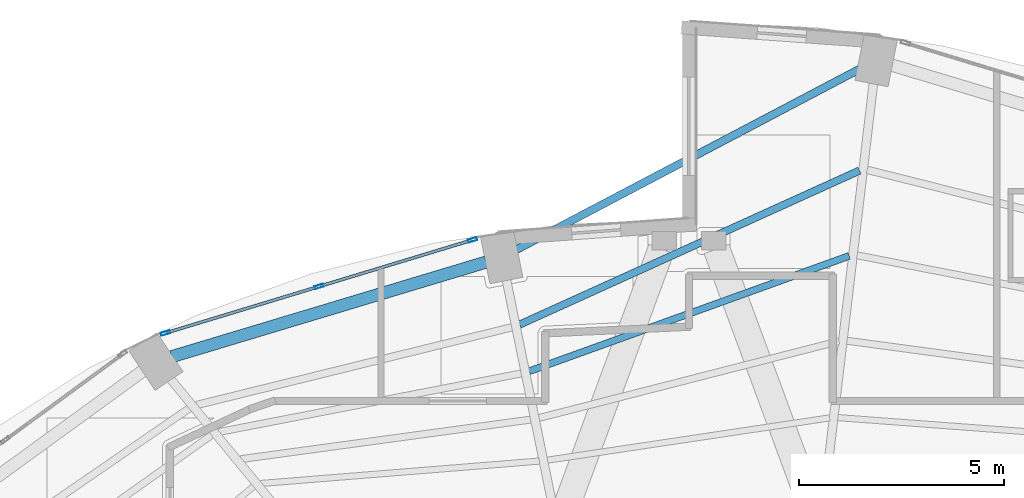
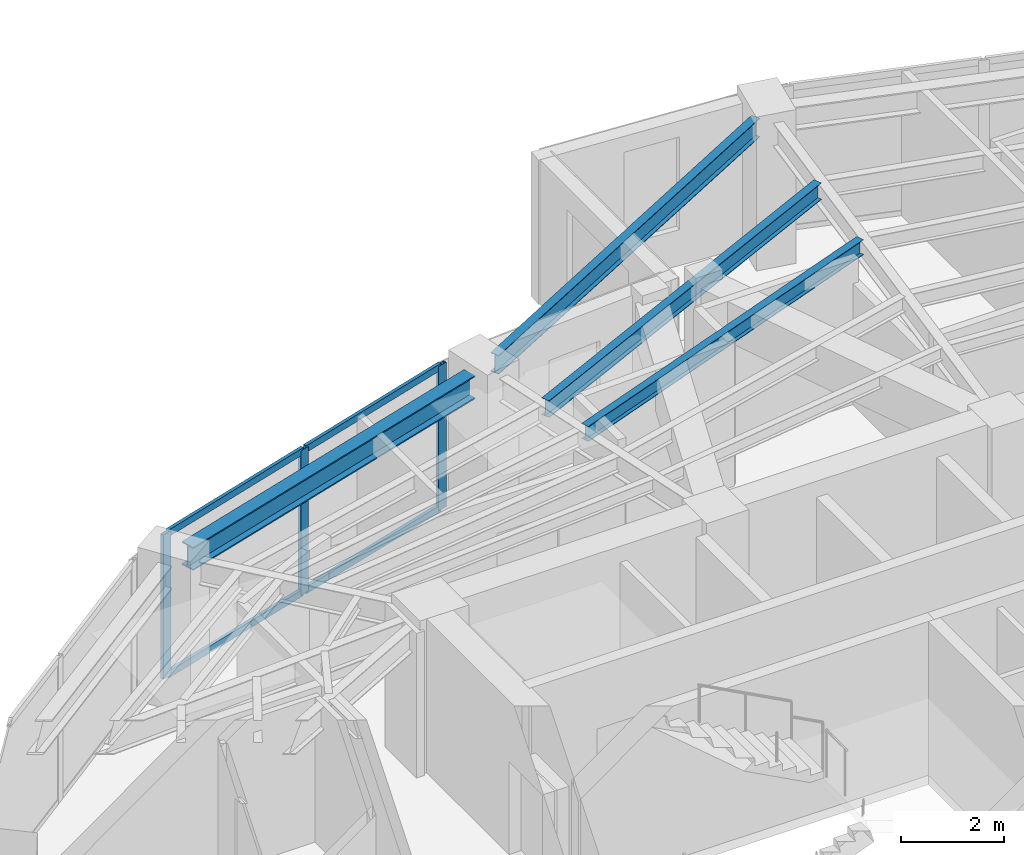
# One storey, part 12 of 20: 7 members, 4 beams, 1 element without a shape of its own.
"""IFC4 building model written with IfcOpenShell, lengths in metres."""

import ifcopenshell
import ifcopenshell.guid

model = None  # the IFC model being written
_history = None  # IfcOwnerHistory: only IFC2X3 demands one
_inside = {}  # id of a spatial element -> (the spatial element, [elements in it])
_under = {}  # id of a project, library or spatial element -> (it, [spatial elements below it])
_declared = {}  # id of a project -> (the project, [libraries it declares])
_typed = {}  # id of a type object -> (the type object, [elements of that type])
_made_of = {}  # id of a material, layer set ... -> (it, [elements and type objects made of it])


def new_model(schema):
    """Start an empty IFC model of exactly this schema.

    Asked for "IFC4X3", IfcOpenShell would pick the latest addendum, in which some entities
    have other attributes; the version numbers below select the first issue.
    IFC2X3 requires an IfcOwnerHistory on every rooted entity: one is made here for all.
    """
    global model, _history
    if schema == "IFC4X3":
        model = ifcopenshell.file(schema_version=(4, 3, 0, 0))
    else:
        model = ifcopenshell.file(schema=schema)
    _inside.clear()
    _under.clear()
    _declared.clear()
    _typed.clear()
    _made_of.clear()
    _history = None
    if model.schema == "IFC2X3":
        org = make("IfcOrganization", Name="unknown")
        user = make(
            "IfcPersonAndOrganization",
            ThePerson=make("IfcPerson", FamilyName="unknown"),
            TheOrganization=org,
        )
        app = make(
            "IfcApplication",
            ApplicationDeveloper=org,
            Version="unknown",
            ApplicationFullName="unknown",
            ApplicationIdentifier="unknown",
        )
        _history = make(
            "IfcOwnerHistory",
            OwningUser=user,
            OwningApplication=app,
            ChangeAction="ADDED",
            CreationDate=0,
        )
    return model


def make(cls, **values):
    """One entity of the class cls with the attributes given. An attribute that is None is left unset."""
    return model.create_entity(
        cls, **{name: value for name, value in values.items() if value is not None}
    )


def rooted(cls, **values):
    """An entity with a GlobalId (a new one), such as an element, a storey or a relation."""
    return make(cls, GlobalId=ifcopenshell.guid.new(), OwnerHistory=_history, **values)


def si_unit(unit_type, name, prefix=None):
    """IfcSIUnit, for example si_unit("LENGTHUNIT", "METRE", prefix="MILLI")."""
    return make("IfcSIUnit", UnitType=unit_type, Prefix=prefix, Name=name)


def assignment(units):
    """IfcUnitAssignment: the units of a project."""
    return None if units is None else make("IfcUnitAssignment", Units=units)


def point(xyz):
    """IfcCartesianPoint."""
    return None if xyz is None else make("IfcCartesianPoint", Coordinates=xyz)


def direction(xyz):
    """IfcDirection."""
    return None if xyz is None else make("IfcDirection", DirectionRatios=xyz)


def frame(location, z_axis=None, x_axis=None):
    """IfcAxis2Placement3D, a coordinate frame: its origin and axes. An axis left out is left unset."""
    return make(
        "IfcAxis2Placement3D",
        Location=point(location),
        Axis=direction(z_axis),
        RefDirection=direction(x_axis),
    )


def frame_2d(location, x_axis=None):
    """IfcAxis2Placement2D, a coordinate frame in the plane: its origin and x axis."""
    return make(
        "IfcAxis2Placement2D", Location=point(location), RefDirection=direction(x_axis)
    )


def origin():
    """The frame at (0, 0, 0) with its axes left unset."""
    return frame((0.0, 0.0, 0.0))


def origin_2d():
    """The frame at (0, 0) in the plane with its x axis left unset."""
    return frame_2d((0.0, 0.0))


def place(relative_to, where):
    """IfcLocalPlacement: puts the frame where relative to a parent placement (None: the world)."""
    return make(
        "IfcLocalPlacement", PlacementRelTo=relative_to, RelativePlacement=where
    )


def context(
    kind, dimensions, precision=None, world=None, true_north=None, identifier=None
):
    """IfcGeometricRepresentationContext, for example the 3D "Model" context."""
    return make(
        "IfcGeometricRepresentationContext",
        ContextIdentifier=identifier,
        ContextType=kind,
        CoordinateSpaceDimension=dimensions,
        Precision=precision,
        WorldCoordinateSystem=world,
        TrueNorth=true_north,
    )


def subcontext(parent, identifier, kind, view, scale=None):
    """IfcGeometricRepresentationSubContext, for example "Body" below "Model"."""
    return make(
        "IfcGeometricRepresentationSubContext",
        ContextIdentifier=identifier,
        ContextType=kind,
        ParentContext=parent,
        TargetScale=scale,
        TargetView=view,
    )


def project(units=None, contexts=None):
    """IfcProject with its units and contexts."""
    return rooted(
        "IfcProject",
        Name="project",
        RepresentationContexts=contexts,
        UnitsInContext=assignment(units),
    )


def spatial(cls, under=None, at=None, **own):
    """A site, building, storey or space (cls), placed at a placement, below another one or the project."""
    s = rooted(cls, ObjectPlacement=at, **own)
    if under is not None:
        _under.setdefault(under.id(), (under, []))[1].append(s)
    return s


def profile(cls, at=None, kind="AREA", **sizes):
    """A parametric profile (cls). Its sizes go by their IFC names, for example OverallWidth=200.0."""
    return make(cls, ProfileType=kind, Position=at, **sizes)


def hollow_rectangle(**sizes):
    """IfcRectangleHollowProfileDef."""
    return profile("IfcRectangleHollowProfileDef", **sizes)


def i_section(**sizes):
    """IfcIShapeProfileDef."""
    return profile("IfcIShapeProfileDef", **sizes)


def extrude(swept, where, along, depth):
    """IfcExtrudedAreaSolid: the profile swept, set in the frame where, extruded along a direction by depth."""
    return make(
        "IfcExtrudedAreaSolid",
        SweptArea=swept,
        Position=where,
        ExtrudedDirection=direction(along),
        Depth=depth,
    )


def shape(context_of_items, identifier, shape_type, items):
    """IfcShapeRepresentation: the items that make up one representation, for example the "Body"."""
    return make(
        "IfcShapeRepresentation",
        ContextOfItems=context_of_items,
        RepresentationIdentifier=identifier,
        RepresentationType=shape_type,
        Items=items,
    )


def material(Name=None, Category=None):
    """IfcMaterial."""
    return make("IfcMaterial", Name=Name, Category=Category)


def layer(
    of_material, thickness, ventilated=None, Name=None, Category=None, Priority=None
):
    """IfcMaterialLayer: one layer of a wall or slab, of a material (None: an air gap)."""
    return make(
        "IfcMaterialLayer",
        Material=of_material,
        LayerThickness=thickness,
        IsVentilated=ventilated,
        Name=Name,
        Category=Category,
        Priority=Priority,
    )


def layer_set(layers, Name=None):
    """IfcMaterialLayerSet."""
    return make("IfcMaterialLayerSet", MaterialLayers=layers, LayerSetName=Name)


def material_profile(
    of_material, cross_section, Name=None, Category=None, Priority=None
):
    """IfcMaterialProfile: a cross section and its material."""
    return make(
        "IfcMaterialProfile",
        Name=Name,
        Material=of_material,
        Profile=cross_section,
        Priority=Priority,
        Category=Category,
    )


def profile_set(profiles, Name=None, composite=None):
    """IfcMaterialProfileSet."""
    return make(
        "IfcMaterialProfileSet",
        Name=Name,
        MaterialProfiles=profiles,
        CompositeProfile=composite,
    )


def made_of(thing, what):
    """Note that an element or type object is made of a material, layer set ...; save() writes the relation."""
    if what is not None:
        _made_of.setdefault(what.id(), (what, []))[1].append(thing)
    return thing


def type_object(cls, material=None, **own):
    """A type object (cls), such as IfcWallType, which elements share."""
    return made_of(rooted(cls, **own), material)


def element(
    cls,
    number,
    at=None,
    inside=None,
    cuts=None,
    type_object=None,
    material=None,
    context=None,
    identifier="Body",
    shape_type=None,
    held_by="IfcProductDefinitionShape",
    body=None,
    shapes=None,
    **own,
):
    """One element of the class cls, such as IfcWall. Its Tag is "e" and its number.

    at: its placement. inside: the storey or other place that contains it. cuts: it is an
    opening in that element (IfcRelVoidsElement). A single representation is given by context,
    identifier, shape_type and body (its items); several are given by shapes. held_by: the class
    of the entity that holds the representations. save() writes the other relations.
    """
    e = rooted(cls, Tag="e%d" % number, ObjectPlacement=at, **own)
    if body is not None:
        shapes = [shape(context, identifier, shape_type, body)]
    if shapes is not None:
        e.Representation = make(held_by, Representations=shapes)
    if inside is not None:
        _inside.setdefault(inside.id(), (inside, []))[1].append(e)
    if cuts is not None:
        rooted(
            "IfcRelVoidsElement", RelatingBuildingElement=cuts, RelatedOpeningElement=e
        )
    if type_object is not None:
        _typed.setdefault(type_object.id(), (type_object, []))[1].append(e)
    return made_of(e, material)


def aggregate(whole, parts):
    """IfcRelAggregates: a whole, such as a stair, and the parts it consists of."""
    return rooted("IfcRelAggregates", RelatingObject=whole, RelatedObjects=parts)


def save(model, path):
    """Write the relations noted so far, then the file.

    IfcRelAggregates (storeys below a building ...), IfcRelContainedInSpatialStructure (elements
    in a storey), IfcRelDefinesByType, IfcRelAssociatesMaterial and IfcRelDeclares: one each for
    every whole, place, type object, material and project.
    """
    for whole, parts in _under.values():
        aggregate(whole, parts)
    for where, things in _inside.values():
        rooted(
            "IfcRelContainedInSpatialStructure",
            RelatedElements=things,
            RelatingStructure=where,
        )
    for kind, things in _typed.values():
        rooted("IfcRelDefinesByType", RelatedObjects=things, RelatingType=kind)
    for what, things in _made_of.values():
        rooted("IfcRelAssociatesMaterial", RelatedObjects=things, RelatingMaterial=what)
    for by, libraries in _declared.values():
        rooted("IfcRelDeclares", RelatingContext=by, RelatedDefinitions=libraries)
    model.write(path)


model = new_model("IFC4")

# Units and contexts
model_context = context("Model", 3, precision=1e-05, world=origin(), true_north=direction((0.0, 1.0)))
body_context = subcontext(model_context, "Body", "Model", "MODEL_VIEW")
ifc_project = project(units=[si_unit("LENGTHUNIT", "METRE"), si_unit("AREAUNIT", "SQUARE_METRE"), si_unit("VOLUMEUNIT", "CUBIC_METRE"), si_unit("PLANEANGLEUNIT", "RADIAN"), si_unit("MASSUNIT", "GRAM", prefix="KILO")], contexts=[model_context])

# Site, building, storey
site_placement = place(None, origin())
site = spatial("IfcSite", under=ifc_project, at=site_placement, CompositionType="ELEMENT")
building_placement = place(site_placement, origin())
building = spatial("IfcBuilding", under=site, at=building_placement, Name="Lazwardi Medical Tower", CompositionType="ELEMENT")
storey_placement = place(building_placement, frame((0.0, 0.0, 141.93603515625)))
storey = spatial("IfcBuildingStorey", under=building, at=storey_placement, Name="L36", CompositionType="ELEMENT", Elevation=141.93603515625)

# Beams
ifc_material_1 = material(Name="Steel S355", Category="steel")
ifc_material_profile_1 = material_profile(ifc_material_1, i_section(OverallWidth=0.300048828125, OverallDepth=0.550048828125, WebThickness=0.014892578125, FlangeThickness=0.029052734375, at=origin_2d()), Name="HEB 550")
ifc_profile_set_1 = profile_set([ifc_material_profile_1], Name="Steel S355")
beam_type_1 = type_object("IfcBeamType", Name="BM-RB-Z3", PredefinedType="BEAM", material=ifc_profile_set_1)
beam_1_placement = place(storey_placement, frame((31.056884765625, 42.133544921875, 3.153076171875), z_axis=(-0.957616873483, -0.288045002771, 0.0), x_axis=(0.288045002771, -0.957616873483, 0.0)))
element("IfcBeam", 1, at=beam_1_placement, inside=storey, type_object=beam_type_1, Name="Ring beam RB-04 B09 L36", PredefinedType="BEAM", context=body_context, shape_type="SweptSolid", body=[
    extrude(i_section(OverallWidth=0.300048828125, OverallDepth=0.550048828125, WebThickness=0.014892578125, FlangeThickness=0.029052734375, at=origin_2d()), origin(), (0.0, 0.0, 1.0), 7.99951171875),
])
ifc_material_profile_2 = material_profile(ifc_material_1, i_section(OverallWidth=0.179931640625, OverallDepth=0.39990234375, WebThickness=0.008544921875, FlangeThickness=0.013427734375, at=origin_2d()), Name="IPE 400")
ifc_profile_set_2 = profile_set([ifc_material_profile_2], Name="Steel S355")
beam_type_2 = type_object("IfcBeamType", Name="BM-SJ-01", PredefinedType="JOIST", material=ifc_profile_set_2)
beam_2_placement = place(storey_placement, frame((40.155029296875, 44.3642578125, 3.22802734375), z_axis=(-0.910834000674, -0.412772846995, 0.0), x_axis=(0.412772846995, -0.910834000674, 0.0)))
element("IfcBeam", 2, at=beam_2_placement, inside=storey, type_object=beam_type_2, Name="Secondary joist SJ-01 R1 B08 L36", PredefinedType="JOIST", context=body_context, shape_type="SweptSolid", body=[
    extrude(i_section(OverallWidth=0.179931640625, OverallDepth=0.39990234375, WebThickness=0.008544921875, FlangeThickness=0.013427734375, at=origin_2d()), origin(), (0.0, 0.0, 1.0), 9.09130859375),
])
ifc_material_profile_3 = material_profile(ifc_material_1, i_section(OverallWidth=0.169921875, OverallDepth=0.360107421875, WebThickness=0.008056640625, FlangeThickness=0.0126953125, at=origin_2d()), Name="IPE 360")
ifc_profile_set_3 = profile_set([ifc_material_profile_3], Name="Steel S355")
beam_type_3 = type_object("IfcBeamType", Name="BM-SJ-02", PredefinedType="JOIST", material=ifc_profile_set_3)
beam_3_placement = place(storey_placement, frame((39.904052734375, 42.284423828125, 3.248046875), z_axis=(-0.940747993319, -0.339106492221, 0.0), x_axis=(0.339106492221, -0.940747993319, 0.0)))
element("IfcBeam", 3, at=beam_3_placement, inside=storey, type_object=beam_type_3, Name="Secondary joist SJ-02 R2 B08 L36", PredefinedType="JOIST", context=body_context, shape_type="SweptSolid", body=[
    extrude(i_section(OverallWidth=0.169921875, OverallDepth=0.360107421875, WebThickness=0.008056640625, FlangeThickness=0.0126953125, at=origin_2d()), origin(), (0.0, 0.0, 1.0), 8.28662109375),
])
ifc_material_profile_4 = material_profile(ifc_material_1, i_section(OverallWidth=0.18994140625, OverallDepth=0.449951171875, WebThickness=0.009521484375, FlangeThickness=0.0146484375, at=origin_2d()), Name="IPE 450")
ifc_profile_set_4 = profile_set([ifc_material_profile_4], Name="Steel S355")
beam_type_4 = type_object("IfcBeamType", Name="BM-SP-01", PredefinedType="SPANDREL", material=ifc_profile_set_4)
beam_4_placement = place(storey_placement, frame((40.206298828125, 46.862548828125, 3.202880859375), z_axis=(-0.884926578414, -0.465730556026, 0.0), x_axis=(0.465730556026, -0.884926578414, 0.0)))
element("IfcBeam", 4, at=beam_4_placement, inside=storey, type_object=beam_type_4, Name="Spandrel beam SP-01 B08 L36", PredefinedType="SPANDREL", context=body_context, shape_type="SweptSolid", body=[
    extrude(i_section(OverallWidth=0.18994140625, OverallDepth=0.449951171875, WebThickness=0.009521484375, FlangeThickness=0.0146484375, at=origin_2d()), origin(), (0.0, 0.0, 1.0), 9.506591796875),
])

# Curtain wall, members
ifc_material_2 = material(Name="Anodised bronze aluminium and solar control glazing", Category="aluminium")
ifc_layer = layer(ifc_material_2, 0.195068359375)
ifc_layer_set = layer_set([ifc_layer], Name="Anodised bronze aluminium and solar control glazing")
curtain_wall_type = type_object("IfcCurtainWallType", Name="CW-SYS-03", PredefinedType="NOTDEFINED", material=ifc_layer_set)
curtain_wall_placement = place(storey_placement, origin())
curtain_wall = element("IfcCurtainWall", 5, at=curtain_wall_placement, inside=storey, type_object=curtain_wall_type, Name="L36 Unitised bronze curtain wall CW-03", PredefinedType="NOTDEFINED")
ifc_material_3 = material(Name="Anodised bronze aluminium", Category="aluminium")
ifc_material_profile_5 = material_profile(ifc_material_3, hollow_rectangle(XDim=0.074951171875, YDim=0.219970703125, WallThickness=0.00390625, at=origin_2d()), Name="ALU-MULLION 220x75x4")
ifc_profile_set_5 = profile_set([ifc_material_profile_5], Name="Anodised bronze aluminium")
member_type_1 = type_object("IfcMemberType", Name="CW-MUL-01", PredefinedType="MULLION", material=ifc_profile_set_5)
member_1_placement = place(storey_placement, frame((30.72802734375, 42.674072265625, 0.0), z_axis=(0.0, 0.0, 1.0), x_axis=(0.290280785441, -0.956941516292, 0.0)))
member_1 = element("IfcMember", 6, at=member_1_placement, type_object=member_type_1, Name="CW-03 mullion 1", PredefinedType="MULLION", context=body_context, shape_type="SweptSolid", body=[
    extrude(hollow_rectangle(XDim=0.074951171875, YDim=0.219970703125, WallThickness=0.00390625, at=origin_2d()), origin(), (0.0, 0.0, 1.0), 3.427978515625),
])
member_2_placement = place(storey_placement, frame((26.98486328125, 41.538818359375, 0.0), z_axis=(0.0, 0.0, 1.0), x_axis=(0.290280785441, -0.956941516292, 0.0)))
member_2 = element("IfcMember", 7, at=member_2_placement, type_object=member_type_1, Name="CW-03 mullion 2", PredefinedType="MULLION", context=body_context, shape_type="SweptSolid", body=[
    extrude(hollow_rectangle(XDim=0.074951171875, YDim=0.219970703125, WallThickness=0.00390625, at=origin_2d()), origin(), (0.0, 0.0, 1.0), 3.427978515625),
])
member_3_placement = place(storey_placement, frame((23.241943359375, 40.4033203125, 0.0), z_axis=(0.0, 0.0, 1.0), x_axis=(0.290280785441, -0.956941516292, 0.0)))
member_3 = element("IfcMember", 8, at=member_3_placement, type_object=member_type_1, Name="CW-03 mullion 3", PredefinedType="MULLION", context=body_context, shape_type="SweptSolid", body=[
    extrude(hollow_rectangle(XDim=0.074951171875, YDim=0.219970703125, WallThickness=0.00390625, at=origin_2d()), origin(), (0.0, 0.0, 1.0), 3.427978515625),
])
ifc_material_profile_6 = material_profile(ifc_material_3, hollow_rectangle(XDim=0.074951171875, YDim=0.159912109375, WallThickness=0.00390625, at=origin_2d()), Name="ALU-TRANSOM 160x75x4")
ifc_profile_set_6 = profile_set([ifc_material_profile_6], Name="Anodised bronze aluminium")
member_type_2 = type_object("IfcMemberType", Name="CW-TRN-01", PredefinedType="USERDEFINED", material=ifc_profile_set_6)
member_4_placement = place(storey_placement, frame((30.692138671875, 42.663330078125, 0.037353515625), z_axis=(-0.956935517424, -0.290300560612, 0.0), x_axis=(0.290300560612, -0.956935517424, 0.0)))
member_4 = element("IfcMember", 9, at=member_4_placement, type_object=member_type_2, Name="CW-03 transom 1.1", ObjectType="TRANSOM", PredefinedType="USERDEFINED", context=body_context, shape_type="SweptSolid", body=[
    extrude(hollow_rectangle(XDim=0.074951171875, YDim=0.159912109375, WallThickness=0.00390625, at=origin_2d()), origin(), (0.0, 0.0, 1.0), 3.836669921875),
])
member_5_placement = place(storey_placement, frame((30.692138671875, 42.663330078125, 3.390380859375), z_axis=(-0.956935517424, -0.290300560612, 0.0), x_axis=(0.290300560612, -0.956935517424, 0.0)))
member_5 = element("IfcMember", 10, at=member_5_placement, type_object=member_type_2, Name="CW-03 transom 1.2", ObjectType="TRANSOM", PredefinedType="USERDEFINED", context=body_context, shape_type="SweptSolid", body=[
    extrude(hollow_rectangle(XDim=0.074951171875, YDim=0.159912109375, WallThickness=0.00390625, at=origin_2d()), origin(), (0.0, 0.0, 1.0), 3.836669921875),
])
member_6_placement = place(storey_placement, frame((26.948974609375, 41.52783203125, 0.037353515625), z_axis=(-0.956930154175, -0.290318239233, 0.0), x_axis=(0.290318239233, -0.956930154175, 0.0)))
member_6 = element("IfcMember", 11, at=member_6_placement, type_object=member_type_2, Name="CW-03 transom 2.1", ObjectType="TRANSOM", PredefinedType="USERDEFINED", context=body_context, shape_type="SweptSolid", body=[
    extrude(hollow_rectangle(XDim=0.074951171875, YDim=0.159912109375, WallThickness=0.00390625, at=origin_2d()), origin(), (0.0, 0.0, 1.0), 3.83642578125),
])
member_7_placement = place(storey_placement, frame((26.948974609375, 41.52783203125, 3.390380859375), z_axis=(-0.956930154175, -0.290318239233, 0.0), x_axis=(0.290318239233, -0.956930154175, 0.0)))
member_7 = element("IfcMember", 12, at=member_7_placement, type_object=member_type_2, Name="CW-03 transom 2.2", ObjectType="TRANSOM", PredefinedType="USERDEFINED", context=body_context, shape_type="SweptSolid", body=[
    extrude(hollow_rectangle(XDim=0.074951171875, YDim=0.159912109375, WallThickness=0.00390625, at=origin_2d()), origin(), (0.0, 0.0, 1.0), 3.83642578125),
])
aggregate(curtain_wall, [member_1, member_2, member_3, member_4, member_5, member_6, member_7])

save(model, "model.ifc")
